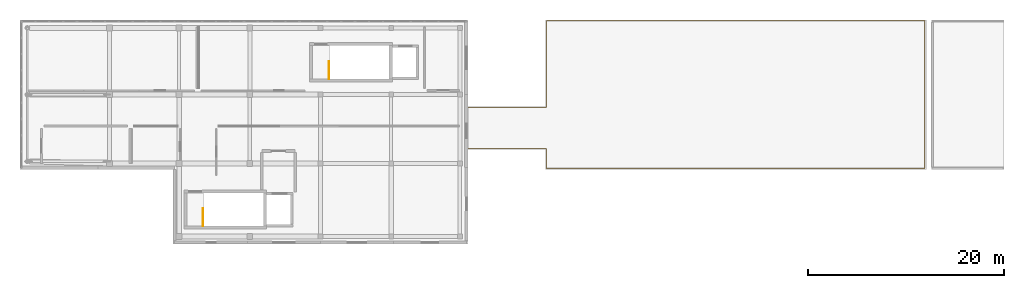
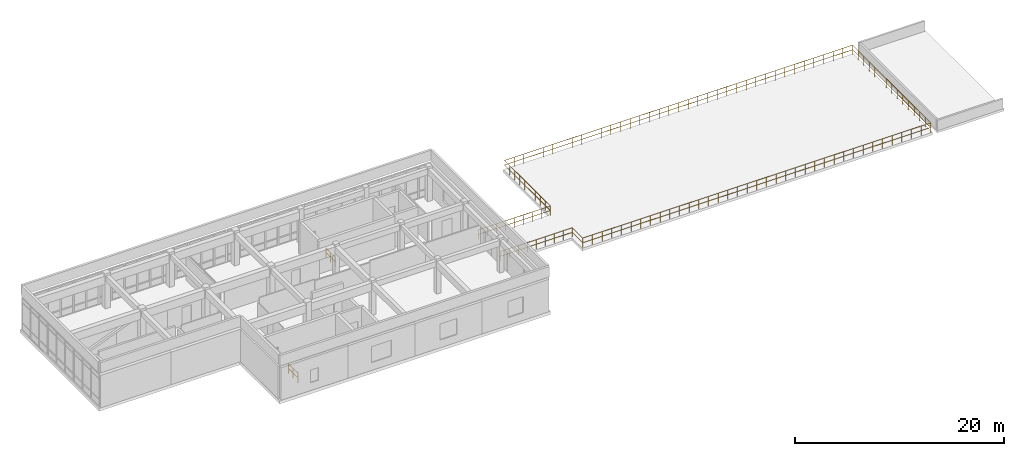
# One storey, part 14 of 14: 3 railings.
"""IFC4 building model written with IfcOpenShell, lengths in metres."""

from ifc_helpers import new_model, si_unit, direction, frame, origin, origin_2d, place, context, subcontext, project, spatial, circle, extrude, material, type_object, element, save


model = new_model("IFC4")

# Units and contexts
model_context = context("Model", 3, precision=1e-05, world=origin(), true_north=direction((0.0, 1.0)))
body_context = subcontext(model_context, "Body", "Model", "MODEL_VIEW")
ifc_project = project(units=[si_unit("LENGTHUNIT", "METRE"), si_unit("AREAUNIT", "SQUARE_METRE"), si_unit("VOLUMEUNIT", "CUBIC_METRE"), si_unit("PLANEANGLEUNIT", "RADIAN"), si_unit("MASSUNIT", "GRAM", prefix="KILO")], contexts=[model_context])

# Site, building, storey
site_placement = place(None, origin())
site = spatial("IfcSite", under=ifc_project, at=site_placement, CompositionType="ELEMENT")
building_placement = place(site_placement, origin())
building = spatial("IfcBuilding", under=site, at=building_placement, Name="Valcora Specialist Clinic", CompositionType="ELEMENT")
storey_placement = place(building_placement, frame((0.0, 0.0, 21.760009765625)))
storey = spatial("IfcBuildingStorey", under=building, at=storey_placement, Name="L05", CompositionType="ELEMENT", Elevation=21.760009765625)

# Railings
ifc_material = material(Name="Stainless Steel AISI 316", Category="steel")
railing_type_1 = type_object("IfcRailingType", Name="TY-RL-BAL112", PredefinedType="BALUSTRADE", material=ifc_material)
railing_placement = place(storey_placement, frame((45.60009765625, 9.699951171875, 0.0)))
element("IfcRailing", 1, at=railing_placement, inside=storey, type_object=railing_type_1, Name="Perimeter terrace guard 4", PredefinedType="BALUSTRADE", context=body_context, shape_type="SweptSolid", body=[
    extrude(circle(Radius=0.02392578125, at=origin_2d()), frame((0.0, 0.0, 1.09619140625), z_axis=(1.0, 0.0, 0.0), x_axis=(0.0, 1.0, 0.0)), (0.0, 0.0, 1.0), 8.0),
    extrude(circle(Radius=0.02392578125, at=origin_2d()), frame((0.0, 0.0, 0.56005859375), z_axis=(1.0, 0.0, 0.0), x_axis=(0.0, 1.0, 0.0)), (0.0, 0.0, 1.0), 8.0),
    extrude(circle(Radius=0.02392578125, at=origin_2d()), frame((8.0, 0.0, 1.09619140625), z_axis=(0.0, -1.0, 0.0), x_axis=(1.0, 0.0, 0.0)), (0.0, 0.0, 1.0), 2.0),
    extrude(circle(Radius=0.02392578125, at=origin_2d()), frame((8.0, 0.0, 0.56005859375), z_axis=(0.0, -1.0, 0.0), x_axis=(1.0, 0.0, 0.0)), (0.0, 0.0, 1.0), 2.0),
    extrude(circle(Radius=0.02392578125, at=origin_2d()), frame((8.0, -2.0, 1.09619140625), z_axis=(1.0, 0.0, 0.0), x_axis=(0.0, 1.0, 0.0)), (0.0, 0.0, 1.0), 38.5498046875),
    extrude(circle(Radius=0.02392578125, at=origin_2d()), frame((8.0, -2.0, 0.56005859375), z_axis=(1.0, 0.0, 0.0), x_axis=(0.0, 1.0, 0.0)), (0.0, 0.0, 1.0), 38.5498046875),
    extrude(circle(Radius=0.02392578125, at=origin_2d()), frame((46.5498046875, -2.0, 1.09619140625), z_axis=(0.0, 1.0, 0.0), x_axis=(-1.0, 0.0, 0.0)), (0.0, 0.0, 1.0), 15.0),
    extrude(circle(Radius=0.02392578125, at=origin_2d()), frame((46.5498046875, -2.0, 0.56005859375), z_axis=(0.0, 1.0, 0.0), x_axis=(-1.0, 0.0, 0.0)), (0.0, 0.0, 1.0), 15.0),
    extrude(circle(Radius=0.02392578125, at=origin_2d()), frame((46.5498046875, 13.0, 1.09619140625), z_axis=(-1.0, 0.0, 0.0), x_axis=(0.0, -1.0, 0.0)), (0.0, 0.0, 1.0), 38.5498046875),
    extrude(circle(Radius=0.02392578125, at=origin_2d()), frame((46.5498046875, 13.0, 0.56005859375), z_axis=(-1.0, 0.0, 0.0), x_axis=(0.0, -1.0, 0.0)), (0.0, 0.0, 1.0), 38.5498046875),
    extrude(circle(Radius=0.02392578125, at=origin_2d()), frame((8.0, 13.0, 1.09619140625), z_axis=(0.0, -1.0, 0.0), x_axis=(1.0, 0.0, 0.0)), (0.0, 0.0, 1.0), 8.800048828125),
    extrude(circle(Radius=0.02392578125, at=origin_2d()), frame((8.0, 13.0, 0.56005859375), z_axis=(0.0, -1.0, 0.0), x_axis=(1.0, 0.0, 0.0)), (0.0, 0.0, 1.0), 8.800048828125),
    extrude(circle(Radius=0.02392578125, at=origin_2d()), frame((8.0, 4.199951171875, 1.09619140625), z_axis=(-1.0, 0.0, 0.0), x_axis=(0.0, -1.0, 0.0)), (0.0, 0.0, 1.0), 8.0),
    extrude(circle(Radius=0.02392578125, at=origin_2d()), frame((8.0, 4.199951171875, 0.56005859375), z_axis=(-1.0, 0.0, 0.0), x_axis=(0.0, -1.0, 0.0)), (0.0, 0.0, 1.0), 8.0),
    extrude(circle(Radius=0.02099609375, at=origin_2d()), origin(), (0.0, 0.0, 1.0), 1.072021484375),
    extrude(circle(Radius=0.02099609375, at=origin_2d()), frame((1.0, 0.0, 0.0)), (0.0, 0.0, 1.0), 1.072021484375),
    extrude(circle(Radius=0.02099609375, at=origin_2d()), frame((2.0, 0.0, 0.0)), (0.0, 0.0, 1.0), 1.072021484375),
    extrude(circle(Radius=0.02099609375, at=origin_2d()), frame((3.0, 0.0, 0.0)), (0.0, 0.0, 1.0), 1.072021484375),
    extrude(circle(Radius=0.02099609375, at=origin_2d()), frame((4.0, 0.0, 0.0)), (0.0, 0.0, 1.0), 1.072021484375),
    extrude(circle(Radius=0.02099609375, at=origin_2d()), frame((5.0, 0.0, 0.0)), (0.0, 0.0, 1.0), 1.072021484375),
    extrude(circle(Radius=0.02099609375, at=origin_2d()), frame((6.0, 0.0, 0.0)), (0.0, 0.0, 1.0), 1.072021484375),
    extrude(circle(Radius=0.02099609375, at=origin_2d()), frame((7.0, 0.0, 0.0)), (0.0, 0.0, 1.0), 1.072021484375),
    extrude(circle(Radius=0.02099609375, at=origin_2d()), frame((8.0, 0.0, 0.0)), (0.0, 0.0, 1.0), 1.072021484375),
    extrude(circle(Radius=0.02099609375, at=origin_2d()), frame((8.0, -1.0, 0.0)), (0.0, 0.0, 1.0), 1.072021484375),
    extrude(circle(Radius=0.02099609375, at=origin_2d()), frame((8.0, -2.0, 0.0)), (0.0, 0.0, 1.0), 1.072021484375),
    extrude(circle(Radius=0.02099609375, at=origin_2d()), frame((9.07080078125, -2.0, 0.0)), (0.0, 0.0, 1.0), 1.072021484375),
    extrude(circle(Radius=0.02099609375, at=origin_2d()), frame((10.1416015625, -2.0, 0.0)), (0.0, 0.0, 1.0), 1.072021484375),
    extrude(circle(Radius=0.02099609375, at=origin_2d()), frame((11.21240234375, -2.0, 0.0)), (0.0, 0.0, 1.0), 1.072021484375),
    extrude(circle(Radius=0.02099609375, at=origin_2d()), frame((12.283203125, -2.0, 0.0)), (0.0, 0.0, 1.0), 1.072021484375),
    extrude(circle(Radius=0.02099609375, at=origin_2d()), frame((13.354248046875, -2.0, 0.0)), (0.0, 0.0, 1.0), 1.072021484375),
    extrude(circle(Radius=0.02099609375, at=origin_2d()), frame((14.425048828125, -2.0, 0.0)), (0.0, 0.0, 1.0), 1.072021484375),
    extrude(circle(Radius=0.02099609375, at=origin_2d()), frame((15.495849609375, -2.0, 0.0)), (0.0, 0.0, 1.0), 1.072021484375),
    extrude(circle(Radius=0.02099609375, at=origin_2d()), frame((16.566650390625, -2.0, 0.0)), (0.0, 0.0, 1.0), 1.072021484375),
    extrude(circle(Radius=0.02099609375, at=origin_2d()), frame((17.637451171875, -2.0, 0.0)), (0.0, 0.0, 1.0), 1.072021484375),
    extrude(circle(Radius=0.02099609375, at=origin_2d()), frame((18.708251953125, -2.0, 0.0)), (0.0, 0.0, 1.0), 1.072021484375),
    extrude(circle(Radius=0.02099609375, at=origin_2d()), frame((19.779052734375, -2.0, 0.0)), (0.0, 0.0, 1.0), 1.072021484375),
    extrude(circle(Radius=0.02099609375, at=origin_2d()), frame((20.849853515625, -2.0, 0.0)), (0.0, 0.0, 1.0), 1.072021484375),
    extrude(circle(Radius=0.02099609375, at=origin_2d()), frame((21.920654296875, -2.0, 0.0)), (0.0, 0.0, 1.0), 1.072021484375),
    extrude(circle(Radius=0.02099609375, at=origin_2d()), frame((22.99169921875, -2.0, 0.0)), (0.0, 0.0, 1.0), 1.072021484375),
    extrude(circle(Radius=0.02099609375, at=origin_2d()), frame((24.0625, -2.0, 0.0)), (0.0, 0.0, 1.0), 1.072021484375),
    extrude(circle(Radius=0.02099609375, at=origin_2d()), frame((25.13330078125, -2.0, 0.0)), (0.0, 0.0, 1.0), 1.072021484375),
    extrude(circle(Radius=0.02099609375, at=origin_2d()), frame((26.2041015625, -2.0, 0.0)), (0.0, 0.0, 1.0), 1.072021484375),
    extrude(circle(Radius=0.02099609375, at=origin_2d()), frame((27.27490234375, -2.0, 0.0)), (0.0, 0.0, 1.0), 1.072021484375),
    extrude(circle(Radius=0.02099609375, at=origin_2d()), frame((28.345703125, -2.0, 0.0)), (0.0, 0.0, 1.0), 1.072021484375),
    extrude(circle(Radius=0.02099609375, at=origin_2d()), frame((29.41650390625, -2.0, 0.0)), (0.0, 0.0, 1.0), 1.072021484375),
    extrude(circle(Radius=0.02099609375, at=origin_2d()), frame((30.4873046875, -2.0, 0.0)), (0.0, 0.0, 1.0), 1.072021484375),
    extrude(circle(Radius=0.02099609375, at=origin_2d()), frame((31.55810546875, -2.0, 0.0)), (0.0, 0.0, 1.0), 1.072021484375),
    extrude(circle(Radius=0.02099609375, at=origin_2d()), frame((32.629150390625, -2.0, 0.0)), (0.0, 0.0, 1.0), 1.072021484375),
    extrude(circle(Radius=0.02099609375, at=origin_2d()), frame((33.699951171875, -2.0, 0.0)), (0.0, 0.0, 1.0), 1.072021484375),
    extrude(circle(Radius=0.02099609375, at=origin_2d()), frame((34.770751953125, -2.0, 0.0)), (0.0, 0.0, 1.0), 1.072021484375),
    extrude(circle(Radius=0.02099609375, at=origin_2d()), frame((35.841552734375, -2.0, 0.0)), (0.0, 0.0, 1.0), 1.072021484375),
    extrude(circle(Radius=0.02099609375, at=origin_2d()), frame((36.912353515625, -2.0, 0.0)), (0.0, 0.0, 1.0), 1.072021484375),
    extrude(circle(Radius=0.02099609375, at=origin_2d()), frame((37.983154296875, -2.0, 0.0)), (0.0, 0.0, 1.0), 1.072021484375),
    extrude(circle(Radius=0.02099609375, at=origin_2d()), frame((39.053955078125, -2.0, 0.0)), (0.0, 0.0, 1.0), 1.072021484375),
    extrude(circle(Radius=0.02099609375, at=origin_2d()), frame((40.124755859375, -2.0, 0.0)), (0.0, 0.0, 1.0), 1.072021484375),
    extrude(circle(Radius=0.02099609375, at=origin_2d()), frame((41.195556640625, -2.0, 0.0)), (0.0, 0.0, 1.0), 1.072021484375),
    extrude(circle(Radius=0.02099609375, at=origin_2d()), frame((42.2666015625, -2.0, 0.0)), (0.0, 0.0, 1.0), 1.072021484375),
    extrude(circle(Radius=0.02099609375, at=origin_2d()), frame((43.33740234375, -2.0, 0.0)), (0.0, 0.0, 1.0), 1.072021484375),
    extrude(circle(Radius=0.02099609375, at=origin_2d()), frame((44.408203125, -2.0, 0.0)), (0.0, 0.0, 1.0), 1.072021484375),
    extrude(circle(Radius=0.02099609375, at=origin_2d()), frame((45.47900390625, -2.0, 0.0)), (0.0, 0.0, 1.0), 1.072021484375),
    extrude(circle(Radius=0.02099609375, at=origin_2d()), frame((46.5498046875, -2.0, 0.0)), (0.0, 0.0, 1.0), 1.072021484375),
    extrude(circle(Radius=0.02099609375, at=origin_2d()), frame((46.5498046875, -0.928466796875, 0.0)), (0.0, 0.0, 1.0), 1.072021484375),
    extrude(circle(Radius=0.02099609375, at=origin_2d()), frame((46.5498046875, 0.142822265625, 0.0)), (0.0, 0.0, 1.0), 1.072021484375),
    extrude(circle(Radius=0.02099609375, at=origin_2d()), frame((46.5498046875, 1.21435546875, 0.0)), (0.0, 0.0, 1.0), 1.072021484375),
    extrude(circle(Radius=0.02099609375, at=origin_2d()), frame((46.5498046875, 2.28564453125, 0.0)), (0.0, 0.0, 1.0), 1.072021484375),
    extrude(circle(Radius=0.02099609375, at=origin_2d()), frame((46.5498046875, 3.357177734375, 0.0)), (0.0, 0.0, 1.0), 1.072021484375),
    extrude(circle(Radius=0.02099609375, at=origin_2d()), frame((46.5498046875, 4.428466796875, 0.0)), (0.0, 0.0, 1.0), 1.072021484375),
    extrude(circle(Radius=0.02099609375, at=origin_2d()), frame((46.5498046875, 5.5, 0.0)), (0.0, 0.0, 1.0), 1.072021484375),
    extrude(circle(Radius=0.02099609375, at=origin_2d()), frame((46.5498046875, 6.571533203125, 0.0)), (0.0, 0.0, 1.0), 1.072021484375),
    extrude(circle(Radius=0.02099609375, at=origin_2d()), frame((46.5498046875, 7.642822265625, 0.0)), (0.0, 0.0, 1.0), 1.072021484375),
    extrude(circle(Radius=0.02099609375, at=origin_2d()), frame((46.5498046875, 8.71435546875, 0.0)), (0.0, 0.0, 1.0), 1.072021484375),
    extrude(circle(Radius=0.02099609375, at=origin_2d()), frame((46.5498046875, 9.78564453125, 0.0)), (0.0, 0.0, 1.0), 1.072021484375),
    extrude(circle(Radius=0.02099609375, at=origin_2d()), frame((46.5498046875, 10.857177734375, 0.0)), (0.0, 0.0, 1.0), 1.072021484375),
    extrude(circle(Radius=0.02099609375, at=origin_2d()), frame((46.5498046875, 11.928466796875, 0.0)), (0.0, 0.0, 1.0), 1.072021484375),
    extrude(circle(Radius=0.02099609375, at=origin_2d()), frame((46.5498046875, 13.0, 0.0)), (0.0, 0.0, 1.0), 1.072021484375),
    extrude(circle(Radius=0.02099609375, at=origin_2d()), frame((45.47900390625, 13.0, 0.0)), (0.0, 0.0, 1.0), 1.072021484375),
    extrude(circle(Radius=0.02099609375, at=origin_2d()), frame((44.408203125, 13.0, 0.0)), (0.0, 0.0, 1.0), 1.072021484375),
    extrude(circle(Radius=0.02099609375, at=origin_2d()), frame((43.33740234375, 13.0, 0.0)), (0.0, 0.0, 1.0), 1.072021484375),
    extrude(circle(Radius=0.02099609375, at=origin_2d()), frame((42.2666015625, 13.0, 0.0)), (0.0, 0.0, 1.0), 1.072021484375),
    extrude(circle(Radius=0.02099609375, at=origin_2d()), frame((41.195556640625, 13.0, 0.0)), (0.0, 0.0, 1.0), 1.072021484375),
    extrude(circle(Radius=0.02099609375, at=origin_2d()), frame((40.124755859375, 13.0, 0.0)), (0.0, 0.0, 1.0), 1.072021484375),
    extrude(circle(Radius=0.02099609375, at=origin_2d()), frame((39.053955078125, 13.0, 0.0)), (0.0, 0.0, 1.0), 1.072021484375),
    extrude(circle(Radius=0.02099609375, at=origin_2d()), frame((37.983154296875, 13.0, 0.0)), (0.0, 0.0, 1.0), 1.072021484375),
    extrude(circle(Radius=0.02099609375, at=origin_2d()), frame((36.912353515625, 13.0, 0.0)), (0.0, 0.0, 1.0), 1.072021484375),
    extrude(circle(Radius=0.02099609375, at=origin_2d()), frame((35.841552734375, 13.0, 0.0)), (0.0, 0.0, 1.0), 1.072021484375),
    extrude(circle(Radius=0.02099609375, at=origin_2d()), frame((34.770751953125, 13.0, 0.0)), (0.0, 0.0, 1.0), 1.072021484375),
    extrude(circle(Radius=0.02099609375, at=origin_2d()), frame((33.699951171875, 13.0, 0.0)), (0.0, 0.0, 1.0), 1.072021484375),
    extrude(circle(Radius=0.02099609375, at=origin_2d()), frame((32.629150390625, 13.0, 0.0)), (0.0, 0.0, 1.0), 1.072021484375),
    extrude(circle(Radius=0.02099609375, at=origin_2d()), frame((31.55810546875, 13.0, 0.0)), (0.0, 0.0, 1.0), 1.072021484375),
    extrude(circle(Radius=0.02099609375, at=origin_2d()), frame((30.4873046875, 13.0, 0.0)), (0.0, 0.0, 1.0), 1.072021484375),
    extrude(circle(Radius=0.02099609375, at=origin_2d()), frame((29.41650390625, 13.0, 0.0)), (0.0, 0.0, 1.0), 1.072021484375),
    extrude(circle(Radius=0.02099609375, at=origin_2d()), frame((28.345703125, 13.0, 0.0)), (0.0, 0.0, 1.0), 1.072021484375),
    extrude(circle(Radius=0.02099609375, at=origin_2d()), frame((27.27490234375, 13.0, 0.0)), (0.0, 0.0, 1.0), 1.072021484375),
    extrude(circle(Radius=0.02099609375, at=origin_2d()), frame((26.2041015625, 13.0, 0.0)), (0.0, 0.0, 1.0), 1.072021484375),
    extrude(circle(Radius=0.02099609375, at=origin_2d()), frame((25.13330078125, 13.0, 0.0)), (0.0, 0.0, 1.0), 1.072021484375),
    extrude(circle(Radius=0.02099609375, at=origin_2d()), frame((24.0625, 13.0, 0.0)), (0.0, 0.0, 1.0), 1.072021484375),
    extrude(circle(Radius=0.02099609375, at=origin_2d()), frame((22.99169921875, 13.0, 0.0)), (0.0, 0.0, 1.0), 1.072021484375),
    extrude(circle(Radius=0.02099609375, at=origin_2d()), frame((21.920654296875, 13.0, 0.0)), (0.0, 0.0, 1.0), 1.072021484375),
    extrude(circle(Radius=0.02099609375, at=origin_2d()), frame((20.849853515625, 13.0, 0.0)), (0.0, 0.0, 1.0), 1.072021484375),
    extrude(circle(Radius=0.02099609375, at=origin_2d()), frame((19.779052734375, 13.0, 0.0)), (0.0, 0.0, 1.0), 1.072021484375),
    extrude(circle(Radius=0.02099609375, at=origin_2d()), frame((18.708251953125, 13.0, 0.0)), (0.0, 0.0, 1.0), 1.072021484375),
    extrude(circle(Radius=0.02099609375, at=origin_2d()), frame((17.637451171875, 13.0, 0.0)), (0.0, 0.0, 1.0), 1.072021484375),
    extrude(circle(Radius=0.02099609375, at=origin_2d()), frame((16.566650390625, 13.0, 0.0)), (0.0, 0.0, 1.0), 1.072021484375),
    extrude(circle(Radius=0.02099609375, at=origin_2d()), frame((15.495849609375, 13.0, 0.0)), (0.0, 0.0, 1.0), 1.072021484375),
    extrude(circle(Radius=0.02099609375, at=origin_2d()), frame((14.425048828125, 13.0, 0.0)), (0.0, 0.0, 1.0), 1.072021484375),
    extrude(circle(Radius=0.02099609375, at=origin_2d()), frame((13.354248046875, 13.0, 0.0)), (0.0, 0.0, 1.0), 1.072021484375),
    extrude(circle(Radius=0.02099609375, at=origin_2d()), frame((12.283203125, 13.0, 0.0)), (0.0, 0.0, 1.0), 1.072021484375),
    extrude(circle(Radius=0.02099609375, at=origin_2d()), frame((11.21240234375, 13.0, 0.0)), (0.0, 0.0, 1.0), 1.072021484375),
    extrude(circle(Radius=0.02099609375, at=origin_2d()), frame((10.1416015625, 13.0, 0.0)), (0.0, 0.0, 1.0), 1.072021484375),
    extrude(circle(Radius=0.02099609375, at=origin_2d()), frame((9.07080078125, 13.0, 0.0)), (0.0, 0.0, 1.0), 1.072021484375),
    extrude(circle(Radius=0.02099609375, at=origin_2d()), frame((8.0, 13.0, 0.0)), (0.0, 0.0, 1.0), 1.072021484375),
    extrude(circle(Radius=0.02099609375, at=origin_2d()), frame((8.0, 12.022216796875, 0.0)), (0.0, 0.0, 1.0), 1.072021484375),
    extrude(circle(Radius=0.02099609375, at=origin_2d()), frame((8.0, 11.04443359375, 0.0)), (0.0, 0.0, 1.0), 1.072021484375),
    extrude(circle(Radius=0.02099609375, at=origin_2d()), frame((8.0, 10.066650390625, 0.0)), (0.0, 0.0, 1.0), 1.072021484375),
    extrude(circle(Radius=0.02099609375, at=origin_2d()), frame((8.0, 9.0888671875, 0.0)), (0.0, 0.0, 1.0), 1.072021484375),
    extrude(circle(Radius=0.02099609375, at=origin_2d()), frame((8.0, 8.111083984375, 0.0)), (0.0, 0.0, 1.0), 1.072021484375),
    extrude(circle(Radius=0.02099609375, at=origin_2d()), frame((8.0, 7.13330078125, 0.0)), (0.0, 0.0, 1.0), 1.072021484375),
    extrude(circle(Radius=0.02099609375, at=origin_2d()), frame((8.0, 6.155517578125, 0.0)), (0.0, 0.0, 1.0), 1.072021484375),
    extrude(circle(Radius=0.02099609375, at=origin_2d()), frame((8.0, 5.177734375, 0.0)), (0.0, 0.0, 1.0), 1.072021484375),
    extrude(circle(Radius=0.02099609375, at=origin_2d()), frame((8.0, 4.199951171875, 0.0)), (0.0, 0.0, 1.0), 1.072021484375),
    extrude(circle(Radius=0.02099609375, at=origin_2d()), frame((7.0, 4.199951171875, 0.0)), (0.0, 0.0, 1.0), 1.072021484375),
    extrude(circle(Radius=0.02099609375, at=origin_2d()), frame((6.0, 4.199951171875, 0.0)), (0.0, 0.0, 1.0), 1.072021484375),
    extrude(circle(Radius=0.02099609375, at=origin_2d()), frame((5.0, 4.199951171875, 0.0)), (0.0, 0.0, 1.0), 1.072021484375),
    extrude(circle(Radius=0.02099609375, at=origin_2d()), frame((4.0, 4.199951171875, 0.0)), (0.0, 0.0, 1.0), 1.072021484375),
    extrude(circle(Radius=0.02099609375, at=origin_2d()), frame((3.0, 4.199951171875, 0.0)), (0.0, 0.0, 1.0), 1.072021484375),
    extrude(circle(Radius=0.02099609375, at=origin_2d()), frame((2.0, 4.199951171875, 0.0)), (0.0, 0.0, 1.0), 1.072021484375),
    extrude(circle(Radius=0.02099609375, at=origin_2d()), frame((1.0, 4.199951171875, 0.0)), (0.0, 0.0, 1.0), 1.072021484375),
    extrude(circle(Radius=0.02099609375, at=origin_2d()), frame((0.0, 4.199951171875, 0.0)), (0.0, 0.0, 1.0), 1.072021484375),
])
railing_type_2 = type_object("IfcRailingType", Name="TY-RL-GRD112", PredefinedType="GUARDRAIL", material=ifc_material)
for number, where, name in (
    (2, (18.64990234375, 1.800048828125, 0.0), "L05 ST-V5A top well guard 1"),
    (3, (31.449951171875, 16.800048828125, 0.0), "L05 ST-V5B top well guard 1"),
):
    element("IfcRailing", number, at=place(storey_placement, frame(where)), inside=storey, type_object=railing_type_2, Name=name, PredefinedType="GUARDRAIL", context=body_context, shape_type="SweptSolid", body=[
        extrude(circle(Radius=0.02392578125, at=origin_2d()), frame((0.0, 0.0, 1.09619140625), z_axis=(0.0, 1.0, 0.0), x_axis=(-1.0, 0.0, 0.0)), (0.0, 0.0, 1.0), 1.800048828125),
        extrude(circle(Radius=0.02392578125, at=origin_2d()), frame((0.0, 0.0, 0.56005859375), z_axis=(0.0, 1.0, 0.0), x_axis=(-1.0, 0.0, 0.0)), (0.0, 0.0, 1.0), 1.800048828125),
        extrude(circle(Radius=0.02099609375, at=origin_2d()), origin(), (0.0, 0.0, 1.0), 1.072021484375),
        extrude(circle(Radius=0.02099609375, at=origin_2d()), frame((0.0, 0.89990234375, 0.0)), (0.0, 0.0, 1.0), 1.072021484375),
        extrude(circle(Radius=0.02099609375, at=origin_2d()), frame((0.0, 1.800048828125, 0.0)), (0.0, 0.0, 1.0), 1.072021484375),
    ])

save(model, "model.ifc")
